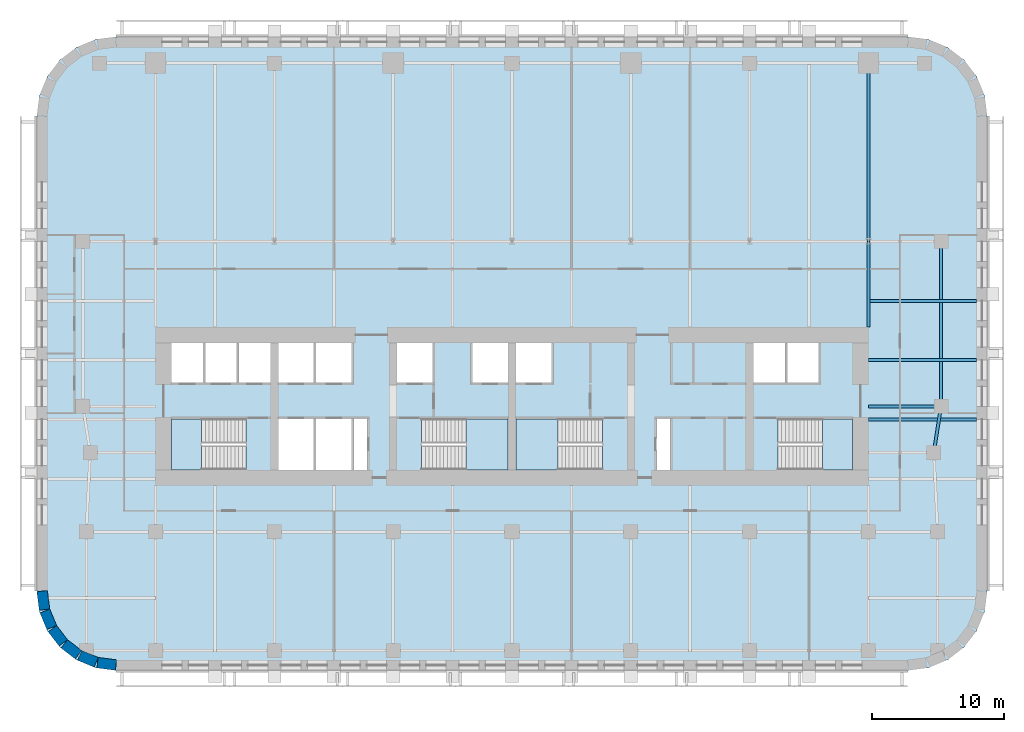
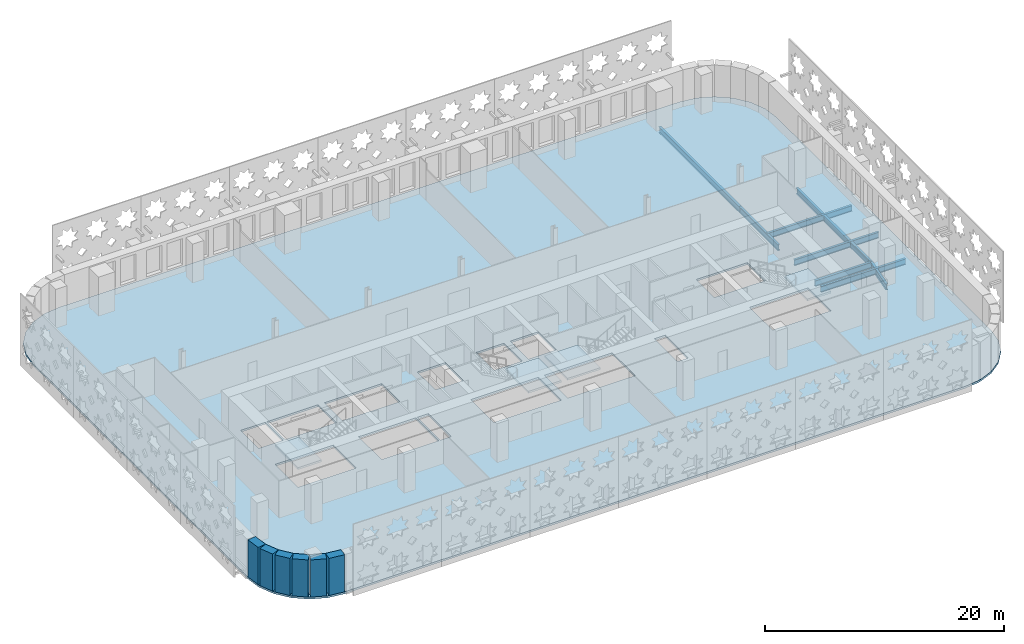
# One storey, part 2 of 14: 8 beams, 6 walls, 5 slabs, 4 elements without a shape of their own.
"""IFC4 building model written with IfcOpenShell, lengths in metres."""

from ifc_helpers import new_model, si_unit, direction, frame, frame_2d, origin, origin_2d, place, context, subcontext, project, spatial, polyline, rectangle, i_section, outline, extrude, material, layer, layer_set, material_profile, profile_set, type_object, element, aggregate, save


model = new_model("IFC4")

# Units and contexts
model_context = context("Model", 3, precision=1e-05, world=origin(), true_north=direction((0.0, 1.0)))
body_context = subcontext(model_context, "Body", "Model", "MODEL_VIEW")
ifc_project = project(units=[si_unit("LENGTHUNIT", "METRE"), si_unit("AREAUNIT", "SQUARE_METRE"), si_unit("VOLUMEUNIT", "CUBIC_METRE"), si_unit("PLANEANGLEUNIT", "RADIAN"), si_unit("MASSUNIT", "GRAM", prefix="KILO")], contexts=[model_context])

# Site, building, storey
site_placement = place(None, origin())
site = spatial("IfcSite", under=ifc_project, at=site_placement, CompositionType="ELEMENT")
building_placement = place(site_placement, origin())
building = spatial("IfcBuilding", under=site, at=building_placement, Name="Zellij Exchange Tower", CompositionType="ELEMENT")
storey_placement = place(building_placement, frame((0.0, 0.0, 68.5)))
storey = spatial("IfcBuildingStorey", under=building, at=storey_placement, Name="L13", CompositionType="ELEMENT", Elevation=68.5)

# Beams
ifc_material_1 = material(Name="Structural steel ASTM A992 Gr 50", Category="steel")
ifc_material_profile_1 = material_profile(ifc_material_1, i_section(OverallWidth=0.227783203125, OverallDepth=0.60205078125, WebThickness=0.010498046875, FlangeThickness=0.014892578125, at=origin_2d()), Name="W24x68")
ifc_profile_set_1 = profile_set([ifc_material_profile_1], Name="Structural steel ASTM A992 Gr 50")
beam_type_1 = type_object("IfcBeamType", Name="STR-BEAM W24x68", PredefinedType="BEAM", material=ifc_profile_set_1)
for number, where, z_axis, x_axis, name in (
    (1, (27.0, -9.0, -0.5009765625), (1.0, 0.0, 0.0), (0.0, 1.0, 0.0), "B5"),
    (2, (27.0, -4.5, -0.5009765625), (1.0, 0.0, 0.0), (0.0, 1.0, 0.0), "B5"),
    (3, (27.0, 0.0, -0.5009765625), (1.0, 0.0, 0.0), (0.0, 1.0, 0.0), "B5"),
):
    element("IfcBeam", number, at=place(storey_placement, frame(where, z_axis=z_axis, x_axis=x_axis)), inside=storey, type_object=beam_type_1, Name=name, PredefinedType="BEAM", context=body_context, shape_type="SweptSolid", body=[
        extrude(i_section(OverallWidth=0.227783203125, OverallDepth=0.60205078125, WebThickness=0.010498046875, FlangeThickness=0.014892578125, at=origin_2d()), origin(), (0.0, 0.0, 1.0), 8.199951171875),
    ])
ifc_material_profile_2 = material_profile(ifc_material_1, i_section(OverallWidth=0.22900390625, OverallDepth=0.612060546875, WebThickness=0.011962890625, FlangeThickness=0.01953125, at=origin_2d()), Name="W24x84")
ifc_profile_set_2 = profile_set([ifc_material_profile_2], Name="Structural steel ASTM A992 Gr 50")
beam_type_2 = type_object("IfcBeamType", Name="STR-EDGE GIRDER W24x84", PredefinedType="BEAM", material=ifc_profile_set_2)
beam_1_placement = place(storey_placement, frame((31.949951171875, -11.5, -0.506103515625), z_axis=(0.155251283593, 0.987875011802, 0.0), x_axis=(-0.987875011802, 0.155251283593, 0.0)))
element("IfcBeam", 4, at=beam_1_placement, inside=storey, type_object=beam_type_2, Name="EB6", PredefinedType="BEAM", context=body_context, shape_type="SweptSolid", body=[
    extrude(i_section(OverallWidth=0.22900390625, OverallDepth=0.612060546875, WebThickness=0.011962890625, FlangeThickness=0.01953125, at=origin_2d()), origin(), (0.0, 0.0, 1.0), 3.54296875),
])
beam_2_placement = place(storey_placement, frame((32.5, -8.0, -0.506103515625), z_axis=(0.0, 1.0, 0.0), x_axis=(-1.0, 0.0, 0.0)))
element("IfcBeam", 5, at=beam_2_placement, inside=storey, type_object=beam_type_2, Name="EB6", PredefinedType="BEAM", context=body_context, shape_type="SweptSolid", body=[
    extrude(i_section(OverallWidth=0.22900390625, OverallDepth=0.612060546875, WebThickness=0.011962890625, FlangeThickness=0.01953125, at=origin_2d()), origin(), (0.0, 0.0, 1.0), 12.5),
])
ifc_material_profile_3 = material_profile(ifc_material_1, i_section(OverallWidth=0.22900390625, OverallDepth=0.612060546875, WebThickness=0.011962890625, FlangeThickness=0.01953125, at=origin_2d()), Name="W24x84")
ifc_profile_set_3 = profile_set([ifc_material_profile_3], Name="Structural steel ASTM A992 Gr 50")
beam_type_3 = type_object("IfcBeamType", Name="STR-GIRDER W24x84", PredefinedType="BEAM", material=ifc_profile_set_3)
beam_3_placement = place(storey_placement, frame((27.0, -8.0, -0.506103515625), z_axis=(1.0, 0.0, 0.0), x_axis=(0.0, 1.0, 0.0)))
element("IfcBeam", 6, at=beam_3_placement, inside=storey, type_object=beam_type_3, Name="G4", PredefinedType="BEAM", context=body_context, shape_type="SweptSolid", body=[
    extrude(i_section(OverallWidth=0.22900390625, OverallDepth=0.612060546875, WebThickness=0.011962890625, FlangeThickness=0.01953125, at=origin_2d()), origin(), (0.0, 0.0, 1.0), 5.5),
])
beam_4_placement = place(storey_placement, frame((27.0, -2.0, -0.506103515625), z_axis=(0.0, 1.0, 0.0), x_axis=(-1.0, 0.0, 0.0)))
element("IfcBeam", 7, at=beam_4_placement, inside=storey, type_object=beam_type_3, Name="G4", PredefinedType="BEAM", context=body_context, shape_type="SweptSolid", body=[
    extrude(i_section(OverallWidth=0.22900390625, OverallDepth=0.612060546875, WebThickness=0.011962890625, FlangeThickness=0.01953125, at=origin_2d()), origin(), (0.0, 0.0, 1.0), 6.5),
])
beam_5_placement = place(storey_placement, frame((27.0, 4.5, -0.506103515625), z_axis=(0.0, 1.0, 0.0), x_axis=(-1.0, 0.0, 0.0)))
element("IfcBeam", 8, at=beam_5_placement, inside=storey, type_object=beam_type_3, Name="G4", PredefinedType="BEAM", context=body_context, shape_type="SweptSolid", body=[
    extrude(i_section(OverallWidth=0.22900390625, OverallDepth=0.612060546875, WebThickness=0.011962890625, FlangeThickness=0.01953125, at=origin_2d()), origin(), (0.0, 0.0, 1.0), 13.5),
])

# Stair, slab
ifc_material_2 = material(Name="Concrete C40/50", Category="concrete")
stair_type = type_object("IfcStairType", Name="CORE-ST exit stair 1850 wide", PredefinedType="HALF_TURN_STAIR", material=ifc_material_2)
stair_1_placement = place(storey_placement, origin())
stair_1 = element("IfcStair", 9, at=stair_1_placement, inside=storey, type_object=stair_type, Name="L13 exit stair ST1", PredefinedType="HALF_TURN_STAIR")
ifc_layer_1 = layer(ifc_material_2, 0.199951171875)
ifc_layer_set_1 = layer_set([ifc_layer_1], Name="Concrete C40/50")
slab_type_1 = type_object("IfcSlabType", Name="CORE-SL stair landing 200", PredefinedType="LANDING", material=ifc_layer_set_1)
slab_1_placement = place(storey_placement, frame((0.0, 0.0, 1.800048828125)))
slab_1 = element("IfcSlab", 10, at=slab_1_placement, type_object=slab_type_1, Name="ST1 landing 1", PredefinedType="LANDING", context=body_context, shape_type="SweptSolid", body=[
    extrude(outline(polyline([(-23.510009765625, -8.949951171875), (-25.800048828125, -8.949951171875), (-25.800048828125, -12.800048828125), (-23.510009765625, -12.800048828125), (-23.510009765625, -8.949951171875)])), origin(), (0.0, 0.0, 1.0), 0.199951171875),
])
aggregate(stair_1, [slab_1])

stair_2_placement = place(storey_placement, origin())
stair_2 = element("IfcStair", 11, at=stair_2_placement, inside=storey, type_object=stair_type, Name="L13 exit stair ST2", PredefinedType="HALF_TURN_STAIR")
slab_2_placement = place(storey_placement, frame((0.0, 0.0, 1.800048828125)))
slab_2 = element("IfcSlab", 12, at=slab_2_placement, type_object=slab_type_1, Name="ST2 landing 1", PredefinedType="LANDING", context=body_context, shape_type="SweptSolid", body=[
    extrude(outline(polyline([(-3.489990234375, -12.800048828125), (-0.300048828125, -12.800048828125), (-0.300048828125, -8.949951171875), (-3.489990234375, -8.949951171875), (-3.489990234375, -12.800048828125)])), origin(), (0.0, 0.0, 1.0), 0.199951171875),
])
aggregate(stair_2, [slab_2])

stair_3_placement = place(storey_placement, origin())
stair_3 = element("IfcStair", 13, at=stair_3_placement, inside=storey, type_object=stair_type, Name="L13 exit stair ST3", PredefinedType="HALF_TURN_STAIR")
slab_3_placement = place(storey_placement, frame((0.0, 0.0, 1.800048828125)))
slab_3 = element("IfcSlab", 14, at=slab_3_placement, type_object=slab_type_1, Name="ST3 landing 1", PredefinedType="LANDING", context=body_context, shape_type="SweptSolid", body=[
    extrude(outline(polyline([(3.489990234375, -8.949951171875), (0.300048828125, -8.949951171875), (0.300048828125, -12.800048828125), (3.489990234375, -12.800048828125), (3.489990234375, -8.949951171875)])), origin(), (0.0, 0.0, 1.0), 0.199951171875),
])
aggregate(stair_3, [slab_3])

stair_4_placement = place(storey_placement, origin())
stair_4 = element("IfcStair", 15, at=stair_4_placement, inside=storey, type_object=stair_type, Name="L13 exit stair ST4", PredefinedType="HALF_TURN_STAIR")
slab_4_placement = place(storey_placement, frame((0.0, 0.0, 1.800048828125)))
slab_4 = element("IfcSlab", 16, at=slab_4_placement, type_object=slab_type_1, Name="ST4 landing 1", PredefinedType="LANDING", context=body_context, shape_type="SweptSolid", body=[
    extrude(outline(polyline([(23.510009765625, -12.800048828125), (25.800048828125, -12.800048828125), (25.800048828125, -8.949951171875), (23.510009765625, -8.949951171875), (23.510009765625, -12.800048828125)])), origin(), (0.0, 0.0, 1.0), 0.199951171875),
])
aggregate(stair_4, [slab_4])

# Slab
ifc_layer_2 = layer(ifc_material_2, 0.199951171875)
ifc_layer_set_2 = layer_set([ifc_layer_2], Name="Concrete C40/50")
slab_type_2 = type_object("IfcSlabType", Name="STR-FLOOR SLAB 200 C40/50", PredefinedType="FLOOR", material=ifc_layer_set_2)
slab_5_placement = place(storey_placement, frame((0.0, 0.0, -0.2001953125)))
element("IfcSlab", 17, at=slab_5_placement, inside=storey, type_object=slab_type_2, Name="Floor L13", PredefinedType="FLOOR", context=body_context, shape_type="SweptSolid", body=[
    extrude(outline(polyline([(-30.0, -28.0), (-31.552978515625, -27.795654296875), (-33.0, -27.1962890625), (-34.24267578125, -26.24267578125), (-35.1962890625, -25.0), (-35.795654296875, -23.552978515625), (-36.0, -22.0), (-36.0, 14.0), (-35.795654296875, 15.552978515625), (-35.1962890625, 17.0), (-34.24267578125, 18.24267578125), (-33.0, 19.1962890625), (-31.552978515625, 19.795654296875), (-30.0, 20.0), (30.0, 20.0), (31.552978515625, 19.795654296875), (33.0, 19.1962890625), (34.24267578125, 18.24267578125), (35.1962890625, 17.0), (35.795654296875, 15.552978515625), (36.0, 14.0), (36.0, -22.0), (35.795654296875, -23.552978515625), (35.1962890625, -25.0), (34.24267578125, -26.24267578125), (33.0, -27.1962890625), (31.552978515625, -27.795654296875), (30.0, -28.0), (-30.0, -28.0)]), holes=[polyline([(-25.800048828125, -8.949951171875), (-25.800048828125, -12.800048828125), (-20.153076171875, -12.800048828125), (-20.153076171875, -8.949951171875), (-25.800048828125, -8.949951171875)]), polyline([(-12.14990234375, -8.949951171875), (-17.699951171875, -8.949951171875), (-17.699951171875, -12.800048828125), (-12.14990234375, -12.800048828125), (-12.14990234375, -8.949951171875)]), polyline([(-10.949951171875, -8.949951171875), (-12.0, -8.949951171875), (-12.0, -12.800048828125), (-10.949951171875, -12.800048828125), (-10.949951171875, -8.949951171875)]), polyline([(-23.39990234375, -3.199951171875), (-25.800048828125, -3.199951171875), (-25.800048828125, -6.22509765625), (-23.39990234375, -6.22509765625), (-23.39990234375, -3.199951171875)]), polyline([(-18.300048828125, -3.199951171875), (-23.25, -3.199951171875), (-23.25, -6.22509765625), (-18.300048828125, -6.22509765625), (-18.300048828125, -3.199951171875)]), polyline([(-12.14990234375, -3.199951171875), (-17.699951171875, -3.199951171875), (-17.699951171875, -6.22509765625), (-12.14990234375, -6.22509765625), (-12.14990234375, -3.199951171875)]), polyline([(-6.0, -3.199951171875), (-8.699951171875, -3.199951171875), (-8.699951171875, -6.22509765625), (-6.0, -6.22509765625), (-6.0, -3.199951171875)]), polyline([(-6.846923828125, -8.949951171875), (-6.846923828125, -12.800048828125), (-0.300048828125, -12.800048828125), (-0.300048828125, -8.949951171875), (-6.846923828125, -8.949951171875)]), polyline([(6.846923828125, -8.949951171875), (0.300048828125, -8.949951171875), (0.300048828125, -12.800048828125), (6.846923828125, -12.800048828125), (6.846923828125, -8.949951171875)]), polyline([(12.0, -8.949951171875), (10.949951171875, -8.949951171875), (10.949951171875, -12.800048828125), (12.0, -12.800048828125), (12.0, -8.949951171875)]), polyline([(25.800048828125, -8.949951171875), (20.153076171875, -8.949951171875), (20.153076171875, -12.800048828125), (25.800048828125, -12.800048828125), (25.800048828125, -8.949951171875)]), polyline([(-0.300048828125, -3.199951171875), (-3.0, -3.199951171875), (-3.0, -6.22509765625), (-0.300048828125, -6.22509765625), (-0.300048828125, -3.199951171875)]), polyline([(3.0, -3.199951171875), (0.300048828125, -3.199951171875), (0.300048828125, -6.22509765625), (3.0, -6.22509765625), (3.0, -3.199951171875)]), polyline([(23.25, -3.199951171875), (18.300048828125, -3.199951171875), (18.300048828125, -6.22509765625), (23.25, -6.22509765625), (23.25, -3.199951171875)])]), origin(), (0.0, 0.0, 1.0), 0.2001953125),
])

# Walls
ifc_material_3 = material(Name="Precast concrete C40/50", Category="concrete")
ifc_layer_3 = layer(ifc_material_3, 0.800048828125)
ifc_layer_set_3 = layer_set([ifc_layer_3], Name="Precast concrete C40/50")
wall_type = type_object("IfcWallType", Name="ENV-EW1 Precast stone-piered wall 800", PredefinedType="SOLIDWALL", material=ifc_layer_set_3)
wall_1_placement = place(storey_placement, frame((-35.5966796875, -21.999755859375, 0.0), z_axis=(0.0, 0.0, 1.0), x_axis=(0.130517283865, -0.99144603414, 0.0)))
element("IfcWall", 18, at=wall_1_placement, inside=storey, type_object=wall_type, Name="fac.L13.22", PredefinedType="SOLIDWALL", context=body_context, shape_type="SweptSolid", body=[
    extrude(rectangle(XDim=1.408447265625, YDim=0.800048828125, at=frame_2d((0.7041015625, 0.0))), origin(), (0.0, 0.0, 1.0), 3.800048828125),
])
wall_2_placement = place(storey_placement, frame((-35.3857421875, -23.497314453125, 0.0), z_axis=(0.0, 0.0, 1.0), x_axis=(0.38276009378, -0.923847774587, 0.0)))
element("IfcWall", 19, at=wall_2_placement, inside=storey, type_object=wall_type, Name="fac.L13.23", PredefinedType="SOLIDWALL", context=body_context, shape_type="SweptSolid", body=[
    extrude(rectangle(XDim=1.35546875, YDim=0.800048828125, at=frame_2d((0.677734375, 0.0))), origin(), (0.0, 0.0, 1.0), 3.800048828125),
])
for number, where, z_axis, x_axis, name in (
    (20, (-34.814697265625, -24.840087890625, 0.0), (0.0, 0.0, 1.0), (0.608866226366, -0.793272915452, 0.0), "fac.L13.24"),
    (21, (-33.91552734375, -25.9892578125, 0.0), (0.0, 0.0, 1.0), (0.793272915452, -0.608866226366, 0.0), "fac.L13.25"),
):
    element("IfcWall", number, at=place(storey_placement, frame(where, z_axis=z_axis, x_axis=x_axis)), inside=storey, type_object=wall_type, Name=name, PredefinedType="SOLIDWALL", context=body_context, shape_type="SweptSolid", body=[
        extrude(rectangle(XDim=1.355712890625, YDim=0.800048828125, at=frame_2d((0.677734375, 0.0))), origin(), (0.0, 0.0, 1.0), 3.800048828125),
    ])
wall_3_placement = place(storey_placement, frame((-32.74951171875, -26.866943359375, 0.0), z_axis=(0.0, 0.0, 1.0), x_axis=(0.923847774587, -0.38276009378, 0.0)))
element("IfcWall", 22, at=wall_3_placement, inside=storey, type_object=wall_type, Name="fac.L13.26", PredefinedType="SOLIDWALL", context=body_context, shape_type="SweptSolid", body=[
    extrude(rectangle(XDim=1.35546875, YDim=0.800048828125, at=frame_2d((0.677734375, 0.0))), origin(), (0.0, 0.0, 1.0), 3.800048828125),
])
wall_4_placement = place(storey_placement, frame((-31.396240234375, -27.412841796875, 0.0), z_axis=(0.0, 0.0, 1.0), x_axis=(0.99144603414, -0.130517283865, 0.0)))
element("IfcWall", 23, at=wall_4_placement, inside=storey, type_object=wall_type, Name="fac.L13.27", PredefinedType="SOLIDWALL", context=body_context, shape_type="SweptSolid", body=[
    extrude(rectangle(XDim=1.408447265625, YDim=0.800048828125, at=frame_2d((0.7041015625, 0.0))), origin(), (0.0, 0.0, 1.0), 3.800048828125),
])

save(model, "model.ifc")
